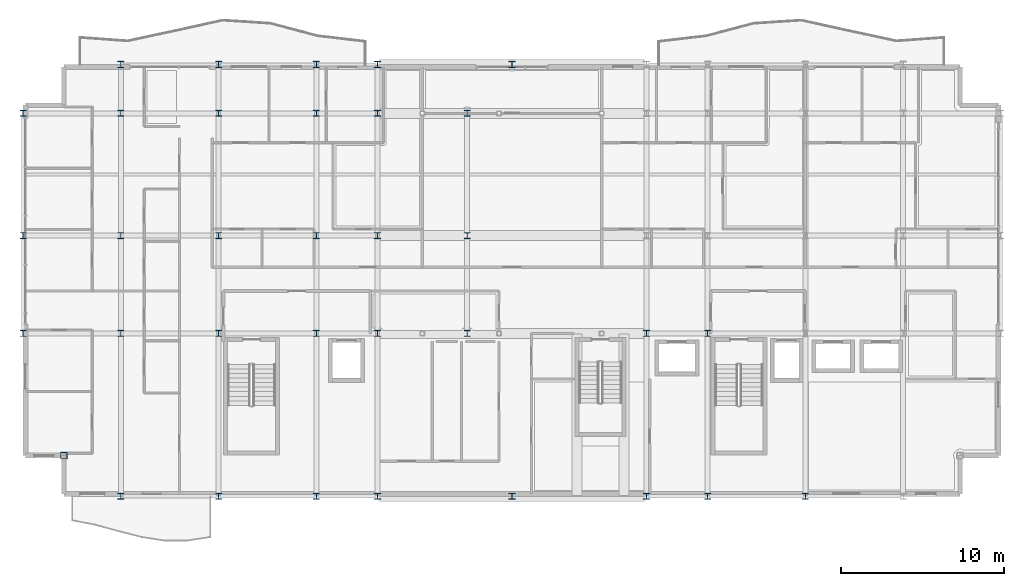
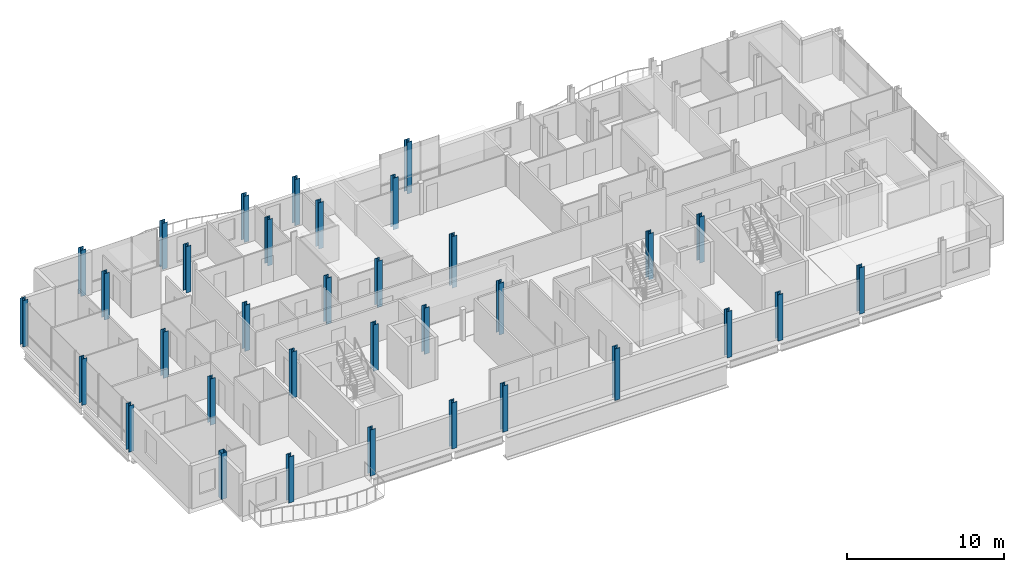
# One storey, part 1 of 35: 34 columns.
"""IFC4 building model written with IfcOpenShell, lengths in metres."""

import ifcopenshell
import ifcopenshell.guid

model = None  # the IFC model being written
_history = None  # IfcOwnerHistory: only IFC2X3 demands one
_inside = {}  # id of a spatial element -> (the spatial element, [elements in it])
_under = {}  # id of a project, library or spatial element -> (it, [spatial elements below it])
_declared = {}  # id of a project -> (the project, [libraries it declares])
_typed = {}  # id of a type object -> (the type object, [elements of that type])
_made_of = {}  # id of a material, layer set ... -> (it, [elements and type objects made of it])


def new_model(schema):
    """Start an empty IFC model of exactly this schema.

    Asked for "IFC4X3", IfcOpenShell would pick the latest addendum, in which some entities
    have other attributes; the version numbers below select the first issue.
    IFC2X3 requires an IfcOwnerHistory on every rooted entity: one is made here for all.
    """
    global model, _history
    if schema == "IFC4X3":
        model = ifcopenshell.file(schema_version=(4, 3, 0, 0))
    else:
        model = ifcopenshell.file(schema=schema)
    _inside.clear()
    _under.clear()
    _declared.clear()
    _typed.clear()
    _made_of.clear()
    _history = None
    if model.schema == "IFC2X3":
        org = make("IfcOrganization", Name="unknown")
        user = make(
            "IfcPersonAndOrganization",
            ThePerson=make("IfcPerson", FamilyName="unknown"),
            TheOrganization=org,
        )
        app = make(
            "IfcApplication",
            ApplicationDeveloper=org,
            Version="unknown",
            ApplicationFullName="unknown",
            ApplicationIdentifier="unknown",
        )
        _history = make(
            "IfcOwnerHistory",
            OwningUser=user,
            OwningApplication=app,
            ChangeAction="ADDED",
            CreationDate=0,
        )
    return model


def make(cls, **values):
    """One entity of the class cls with the attributes given. An attribute that is None is left unset."""
    return model.create_entity(
        cls, **{name: value for name, value in values.items() if value is not None}
    )


def rooted(cls, **values):
    """An entity with a GlobalId (a new one), such as an element, a storey or a relation."""
    return make(cls, GlobalId=ifcopenshell.guid.new(), OwnerHistory=_history, **values)


def si_unit(unit_type, name, prefix=None):
    """IfcSIUnit, for example si_unit("LENGTHUNIT", "METRE", prefix="MILLI")."""
    return make("IfcSIUnit", UnitType=unit_type, Prefix=prefix, Name=name)


def assignment(units):
    """IfcUnitAssignment: the units of a project."""
    return None if units is None else make("IfcUnitAssignment", Units=units)


def point(xyz):
    """IfcCartesianPoint."""
    return None if xyz is None else make("IfcCartesianPoint", Coordinates=xyz)


def direction(xyz):
    """IfcDirection."""
    return None if xyz is None else make("IfcDirection", DirectionRatios=xyz)


def frame(location, z_axis=None, x_axis=None):
    """IfcAxis2Placement3D, a coordinate frame: its origin and axes. An axis left out is left unset."""
    return make(
        "IfcAxis2Placement3D",
        Location=point(location),
        Axis=direction(z_axis),
        RefDirection=direction(x_axis),
    )


def frame_2d(location, x_axis=None):
    """IfcAxis2Placement2D, a coordinate frame in the plane: its origin and x axis."""
    return make(
        "IfcAxis2Placement2D", Location=point(location), RefDirection=direction(x_axis)
    )


def origin():
    """The frame at (0, 0, 0) with its axes left unset."""
    return frame((0.0, 0.0, 0.0))


def origin_2d():
    """The frame at (0, 0) in the plane with its x axis left unset."""
    return frame_2d((0.0, 0.0))


def place(relative_to, where):
    """IfcLocalPlacement: puts the frame where relative to a parent placement (None: the world)."""
    return make(
        "IfcLocalPlacement", PlacementRelTo=relative_to, RelativePlacement=where
    )


def context(
    kind, dimensions, precision=None, world=None, true_north=None, identifier=None
):
    """IfcGeometricRepresentationContext, for example the 3D "Model" context."""
    return make(
        "IfcGeometricRepresentationContext",
        ContextIdentifier=identifier,
        ContextType=kind,
        CoordinateSpaceDimension=dimensions,
        Precision=precision,
        WorldCoordinateSystem=world,
        TrueNorth=true_north,
    )


def subcontext(parent, identifier, kind, view, scale=None):
    """IfcGeometricRepresentationSubContext, for example "Body" below "Model"."""
    return make(
        "IfcGeometricRepresentationSubContext",
        ContextIdentifier=identifier,
        ContextType=kind,
        ParentContext=parent,
        TargetScale=scale,
        TargetView=view,
    )


def project(units=None, contexts=None):
    """IfcProject with its units and contexts."""
    return rooted(
        "IfcProject",
        Name="project",
        RepresentationContexts=contexts,
        UnitsInContext=assignment(units),
    )


def spatial(cls, under=None, at=None, **own):
    """A site, building, storey or space (cls), placed at a placement, below another one or the project."""
    s = rooted(cls, ObjectPlacement=at, **own)
    if under is not None:
        _under.setdefault(under.id(), (under, []))[1].append(s)
    return s


def profile(cls, at=None, kind="AREA", **sizes):
    """A parametric profile (cls). Its sizes go by their IFC names, for example OverallWidth=200.0."""
    return make(cls, ProfileType=kind, Position=at, **sizes)


def hollow_rectangle(**sizes):
    """IfcRectangleHollowProfileDef."""
    return profile("IfcRectangleHollowProfileDef", **sizes)


def i_section(**sizes):
    """IfcIShapeProfileDef."""
    return profile("IfcIShapeProfileDef", **sizes)


def extrude(swept, where, along, depth):
    """IfcExtrudedAreaSolid: the profile swept, set in the frame where, extruded along a direction by depth."""
    return make(
        "IfcExtrudedAreaSolid",
        SweptArea=swept,
        Position=where,
        ExtrudedDirection=direction(along),
        Depth=depth,
    )


def shape(context_of_items, identifier, shape_type, items):
    """IfcShapeRepresentation: the items that make up one representation, for example the "Body"."""
    return make(
        "IfcShapeRepresentation",
        ContextOfItems=context_of_items,
        RepresentationIdentifier=identifier,
        RepresentationType=shape_type,
        Items=items,
    )


def material(Name=None, Category=None):
    """IfcMaterial."""
    return make("IfcMaterial", Name=Name, Category=Category)


def material_profile(
    of_material, cross_section, Name=None, Category=None, Priority=None
):
    """IfcMaterialProfile: a cross section and its material."""
    return make(
        "IfcMaterialProfile",
        Name=Name,
        Material=of_material,
        Profile=cross_section,
        Priority=Priority,
        Category=Category,
    )


def profile_set(profiles, Name=None, composite=None):
    """IfcMaterialProfileSet."""
    return make(
        "IfcMaterialProfileSet",
        Name=Name,
        MaterialProfiles=profiles,
        CompositeProfile=composite,
    )


def made_of(thing, what):
    """Note that an element or type object is made of a material, layer set ...; save() writes the relation."""
    if what is not None:
        _made_of.setdefault(what.id(), (what, []))[1].append(thing)
    return thing


def type_object(cls, material=None, **own):
    """A type object (cls), such as IfcWallType, which elements share."""
    return made_of(rooted(cls, **own), material)


def element(
    cls,
    number,
    at=None,
    inside=None,
    cuts=None,
    type_object=None,
    material=None,
    context=None,
    identifier="Body",
    shape_type=None,
    held_by="IfcProductDefinitionShape",
    body=None,
    shapes=None,
    **own,
):
    """One element of the class cls, such as IfcWall. Its Tag is "e" and its number.

    at: its placement. inside: the storey or other place that contains it. cuts: it is an
    opening in that element (IfcRelVoidsElement). A single representation is given by context,
    identifier, shape_type and body (its items); several are given by shapes. held_by: the class
    of the entity that holds the representations. save() writes the other relations.
    """
    e = rooted(cls, Tag="e%d" % number, ObjectPlacement=at, **own)
    if body is not None:
        shapes = [shape(context, identifier, shape_type, body)]
    if shapes is not None:
        e.Representation = make(held_by, Representations=shapes)
    if inside is not None:
        _inside.setdefault(inside.id(), (inside, []))[1].append(e)
    if cuts is not None:
        rooted(
            "IfcRelVoidsElement", RelatingBuildingElement=cuts, RelatedOpeningElement=e
        )
    if type_object is not None:
        _typed.setdefault(type_object.id(), (type_object, []))[1].append(e)
    return made_of(e, material)


def aggregate(whole, parts):
    """IfcRelAggregates: a whole, such as a stair, and the parts it consists of."""
    return rooted("IfcRelAggregates", RelatingObject=whole, RelatedObjects=parts)


def save(model, path):
    """Write the relations noted so far, then the file.

    IfcRelAggregates (storeys below a building ...), IfcRelContainedInSpatialStructure (elements
    in a storey), IfcRelDefinesByType, IfcRelAssociatesMaterial and IfcRelDeclares: one each for
    every whole, place, type object, material and project.
    """
    for whole, parts in _under.values():
        aggregate(whole, parts)
    for where, things in _inside.values():
        rooted(
            "IfcRelContainedInSpatialStructure",
            RelatedElements=things,
            RelatingStructure=where,
        )
    for kind, things in _typed.values():
        rooted("IfcRelDefinesByType", RelatedObjects=things, RelatingType=kind)
    for what, things in _made_of.values():
        rooted("IfcRelAssociatesMaterial", RelatedObjects=things, RelatingMaterial=what)
    for by, libraries in _declared.values():
        rooted("IfcRelDeclares", RelatingContext=by, RelatedDefinitions=libraries)
    model.write(path)


model = new_model("IFC4")

# Units and contexts
model_context = context("Model", 3, precision=1e-05, world=origin(), true_north=direction((0.0, 1.0)))
body_context = subcontext(model_context, "Body", "Model", "MODEL_VIEW")
ifc_project = project(units=[si_unit("LENGTHUNIT", "METRE"), si_unit("AREAUNIT", "SQUARE_METRE"), si_unit("VOLUMEUNIT", "CUBIC_METRE"), si_unit("PLANEANGLEUNIT", "RADIAN"), si_unit("MASSUNIT", "GRAM", prefix="KILO")], contexts=[model_context])

# Site, building, storey
site_placement = place(None, origin())
site = spatial("IfcSite", under=ifc_project, at=site_placement, CompositionType="ELEMENT")
building_placement = place(site_placement, origin())
building = spatial("IfcBuilding", under=site, at=building_placement, Name="Brevholm Reach", CompositionType="ELEMENT")
storey_placement = place(building_placement, frame((0.0, 0.0, 214.39990234375)))
storey = spatial("IfcBuildingStorey", under=building, at=storey_placement, Name="L65", CompositionType="ELEMENT", Elevation=214.39990234375)

# Columns
ifc_material_1 = material(Name="Structural Steel S460NH", Category="steel")
ifc_material_profile_1 = material_profile(ifc_material_1, hollow_rectangle(XDim=0.39990234375, YDim=0.39990234375, WallThickness=0.02001953125, InnerFilletRadius=0.011962890625, OuterFilletRadius=0.02392578125, at=origin_2d()), Name="SHS 400x400x20")
ifc_profile_set_1 = profile_set([ifc_material_profile_1], Name="Structural Steel S460NH")
column_type_1 = type_object("IfcColumnType", Name="COL-SHS2", PredefinedType="COLUMN", material=ifc_profile_set_1)
column_placement = place(storey_placement, frame((2.5, 2.5, 0.0), z_axis=(0.0, 0.0, 1.0), x_axis=(1.0, 0.0, 0.0)))
element("IfcColumn", 1, at=column_placement, inside=storey, type_object=column_type_1, Name="L65 Column 04", PredefinedType="COLUMN", context=body_context, shape_type="SweptSolid", body=[
    extrude(hollow_rectangle(XDim=0.39990234375, YDim=0.39990234375, WallThickness=0.02001953125, InnerFilletRadius=0.011962890625, OuterFilletRadius=0.02392578125, at=origin_2d()), origin(), (0.0, 0.0, 1.0), 3.60009765625),
])
ifc_material_2 = material(Name="Structural Steel S355J2", Category="steel")
ifc_material_profile_2 = material_profile(ifc_material_2, i_section(OverallWidth=0.374755859375, OverallDepth=0.37451171875, WebThickness=0.0166015625, FlangeThickness=0.027099609375, FilletRadius=0.01513671875, at=origin_2d()), Name="UKC 356x368x202")
ifc_profile_set_2 = profile_set([ifc_material_profile_2], Name="Structural Steel S355J2")
column_type_2 = type_object("IfcColumnType", Name="COL-UC6", PredefinedType="COLUMN", material=ifc_profile_set_2)
for number, where, z_axis, x_axis, name in (
    (2, (0.0, 10.0, 0.0), (0.0, 0.0, 1.0), (1.0, 0.0, 0.0), "L65 Column 01"),
    (3, (0.0, 16.0, 0.0), (0.0, 0.0, 1.0), (1.0, 0.0, 0.0), "L65 Column 02"),
    (4, (0.0, 23.5, 0.0), (0.0, 0.0, 1.0), (1.0, 0.0, 0.0), "L65 Column 03"),
    (5, (6.0, 0.0, 0.0), (0.0, 0.0, 1.0), (1.0, 0.0, 0.0), "L65 Column 05"),
    (6, (6.0, 10.0, 0.0), (0.0, 0.0, 1.0), (1.0, 0.0, 0.0), "L65 Column 06"),
    (7, (6.0, 16.0, 0.0), (0.0, 0.0, 1.0), (1.0, 0.0, 0.0), "L65 Column 07"),
    (8, (6.0, 23.5, 0.0), (0.0, 0.0, 1.0), (1.0, 0.0, 0.0), "L65 Column 08"),
    (9, (6.0, 26.5, 0.0), (0.0, 0.0, 1.0), (1.0, 0.0, 0.0), "L65 Column 09"),
    (10, (12.0, 0.0, 0.0), (0.0, 0.0, 1.0), (1.0, 0.0, 0.0), "L65 Column 10"),
    (11, (12.0, 10.0, 0.0), (0.0, 0.0, 1.0), (1.0, 0.0, 0.0), "L65 Column 11"),
    (12, (12.0, 16.0, 0.0), (0.0, 0.0, 1.0), (1.0, 0.0, 0.0), "L65 Column 12"),
    (13, (12.0, 23.5, 0.0), (0.0, 0.0, 1.0), (1.0, 0.0, 0.0), "L65 Column 13"),
    (14, (12.0, 26.5, 0.0), (0.0, 0.0, 1.0), (1.0, 0.0, 0.0), "L65 Column 14"),
    (15, (18.0, 0.0, 0.0), (0.0, 0.0, 1.0), (1.0, 0.0, 0.0), "L65 Column 15"),
    (16, (18.0, 10.0, 0.0), (0.0, 0.0, 1.0), (1.0, 0.0, 0.0), "L65 Column 16"),
    (17, (18.0, 16.0, 0.0), (0.0, 0.0, 1.0), (1.0, 0.0, 0.0), "L65 Column 17"),
    (18, (18.0, 23.5, 0.0), (0.0, 0.0, 1.0), (1.0, 0.0, 0.0), "L65 Column 18"),
    (19, (18.0, 26.5, 0.0), (0.0, 0.0, 1.0), (1.0, 0.0, 0.0), "L65 Column 19"),
    (20, (21.75, 0.0, 0.0), (0.0, 0.0, 1.0), (1.0, 0.0, 0.0), "L65 Column 20"),
    (21, (21.75, 10.0, 0.0), (0.0, 0.0, 1.0), (1.0, 0.0, 0.0), "L65 Column 21"),
    (22, (21.75, 16.0, 0.0), (0.0, 0.0, 1.0), (1.0, 0.0, 0.0), "L65 Column 22"),
    (23, (21.75, 23.5, 0.0), (0.0, 0.0, 1.0), (1.0, 0.0, 0.0), "L65 Column 23"),
    (24, (21.75, 26.5, 0.0), (0.0, 0.0, 1.0), (1.0, 0.0, 0.0), "L65 Column 24"),
):
    element("IfcColumn", number, at=place(storey_placement, frame(where, z_axis=z_axis, x_axis=x_axis)), inside=storey, type_object=column_type_2, Name=name, PredefinedType="COLUMN", context=body_context, shape_type="SweptSolid", body=[
        extrude(i_section(OverallWidth=0.374755859375, OverallDepth=0.37451171875, WebThickness=0.0166015625, FlangeThickness=0.027099609375, FilletRadius=0.01513671875, at=origin_2d()), origin(), (0.0, 0.0, 1.0), 3.60009765625),
    ])
for number, where, z_axis, x_axis, name in (
    (25, (27.25, 10.0, -0.419921875), (0.0, 0.0, 1.0), (1.0, 0.0, 0.0), "L65 Column 25"),
    (26, (27.25, 16.0, -0.419921875), (0.0, 0.0, 1.0), (1.0, 0.0, 0.0), "L65 Column 26"),
    (27, (27.25, 23.5, -0.419921875), (0.0, 0.0, 1.0), (1.0, 0.0, 0.0), "L65 Column 27"),
    (28, (30.0, 0.0, -0.419921875), (0.0, 0.0, 1.0), (1.0, 0.0, 0.0), "L65 Column 28"),
    (29, (30.0, 26.5, -0.419921875), (0.0, 0.0, 1.0), (1.0, 0.0, 0.0), "L65 Column 29"),
):
    element("IfcColumn", number, at=place(storey_placement, frame(where, z_axis=z_axis, x_axis=x_axis)), inside=storey, type_object=column_type_2, Name=name, PredefinedType="COLUMN", context=body_context, shape_type="SweptSolid", body=[
        extrude(i_section(OverallWidth=0.374755859375, OverallDepth=0.37451171875, WebThickness=0.0166015625, FlangeThickness=0.027099609375, FilletRadius=0.01513671875, at=origin_2d()), origin(), (0.0, 0.0, 1.0), 4.02001953125),
    ])
for number, where, z_axis, x_axis, name in (
    (30, (38.25, 0.0, 0.0), (0.0, 0.0, 1.0), (1.0, 0.0, 0.0), "L65 Column 30"),
    (31, (38.25, 10.0, 0.0), (0.0, 0.0, 1.0), (1.0, 0.0, 0.0), "L65 Column 31"),
    (32, (42.0, 0.0, 0.0), (0.0, 0.0, 1.0), (1.0, 0.0, 0.0), "L65 Column 35"),
    (33, (42.0, 10.0, 0.0), (0.0, 0.0, 1.0), (1.0, 0.0, 0.0), "L65 Column 36"),
    (34, (48.0, 0.0, 0.0), (0.0, 0.0, 1.0), (1.0, 0.0, 0.0), "L65 Column 40"),
):
    element("IfcColumn", number, at=place(storey_placement, frame(where, z_axis=z_axis, x_axis=x_axis)), inside=storey, type_object=column_type_2, Name=name, PredefinedType="COLUMN", context=body_context, shape_type="SweptSolid", body=[
        extrude(i_section(OverallWidth=0.374755859375, OverallDepth=0.37451171875, WebThickness=0.0166015625, FlangeThickness=0.027099609375, FilletRadius=0.01513671875, at=origin_2d()), origin(), (0.0, 0.0, 1.0), 3.60009765625),
    ])

save(model, "model.ifc")
